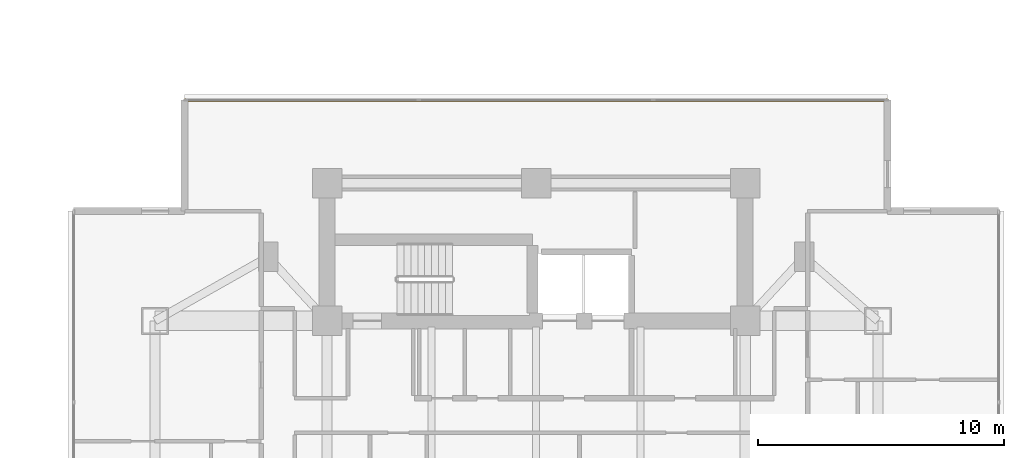
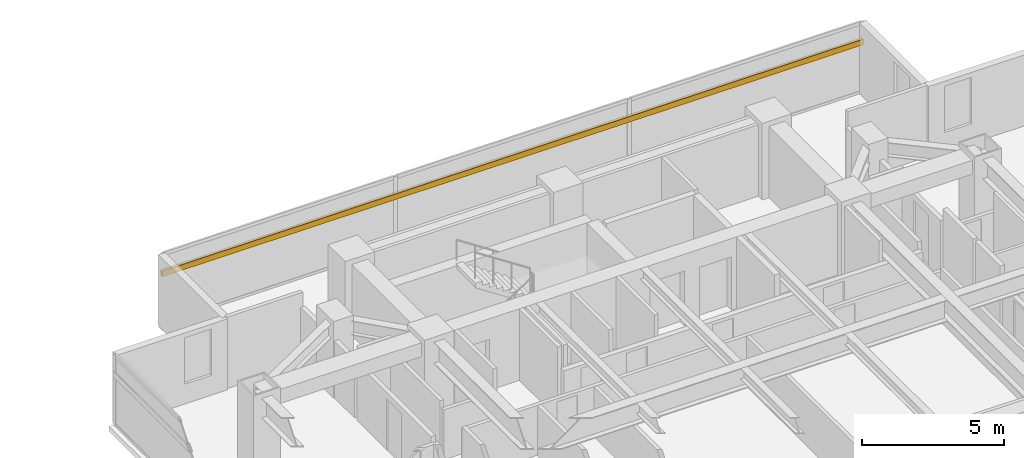
# One storey, part 25 of 25: 1 shading device.
"""IFC4 building model written with IfcOpenShell, lengths in metres."""

from ifc_helpers import new_model, si_unit, direction, frame, origin, origin_2d, place, context, subcontext, project, spatial, rectangle, extrude, material, material_profile, profile_set, type_object, element, save


model = new_model("IFC4")

# Units and contexts
model_context = context("Model", 3, precision=1e-05, world=origin(), true_north=direction((0.0, 1.0)))
body_context = subcontext(model_context, "Body", "Model", "MODEL_VIEW")
ifc_project = project(units=[si_unit("LENGTHUNIT", "METRE"), si_unit("AREAUNIT", "SQUARE_METRE"), si_unit("VOLUMEUNIT", "CUBIC_METRE"), si_unit("PLANEANGLEUNIT", "RADIAN"), si_unit("MASSUNIT", "GRAM", prefix="KILO")], contexts=[model_context])

# Site, building, storey
site_placement = place(None, origin())
site = spatial("IfcSite", under=ifc_project, at=site_placement, CompositionType="ELEMENT")
building_placement = place(site_placement, origin())
building = spatial("IfcBuilding", under=site, at=building_placement, Name="Mirazonda Arch Towers", CompositionType="ELEMENT")
storey_placement = place(building_placement, frame((0.0, 0.0, 111.5)))
storey = spatial("IfcBuildingStorey", under=building, at=storey_placement, Name="L31", CompositionType="ELEMENT", Elevation=111.5)

# Shading device
ifc_material = material(Name="Kiln-Fired Architectural Terracotta", Category="masonry")
ifc_material_profile = material_profile(ifc_material, rectangle(XDim=0.1201171875, YDim=0.239990234375, at=origin_2d()), Name="TERRA-BAG-120x240")
ifc_profile_set = profile_set([ifc_material_profile], Name="Kiln-Fired Architectural Terracotta")
shading_device_type = type_object("IfcShadingDeviceType", Name="BAGUETTE-1", PredefinedType="USERDEFINED", material=ifc_profile_set)
shading_device_placement = place(storey_placement, frame((62.207763671875, 44.1806640625, 2.203125), z_axis=(1.0, 0.0, 0.0), x_axis=(0.0, 1.0, 0.0)))
element("IfcShadingDevice", 1, at=shading_device_placement, inside=storey, type_object=shading_device_type, Name="L31 Glazed Terracotta Sun-Screen Baguette CW-L31-T2-N", ObjectType="BAGUETTE", PredefinedType="USERDEFINED", context=body_context, shape_type="SweptSolid", body=[
    extrude(rectangle(XDim=0.1201171875, YDim=0.239990234375, at=origin_2d()), origin(), (0.0, 0.0, 1.0), 28.58447265625),
])

save(model, "model.ifc")
